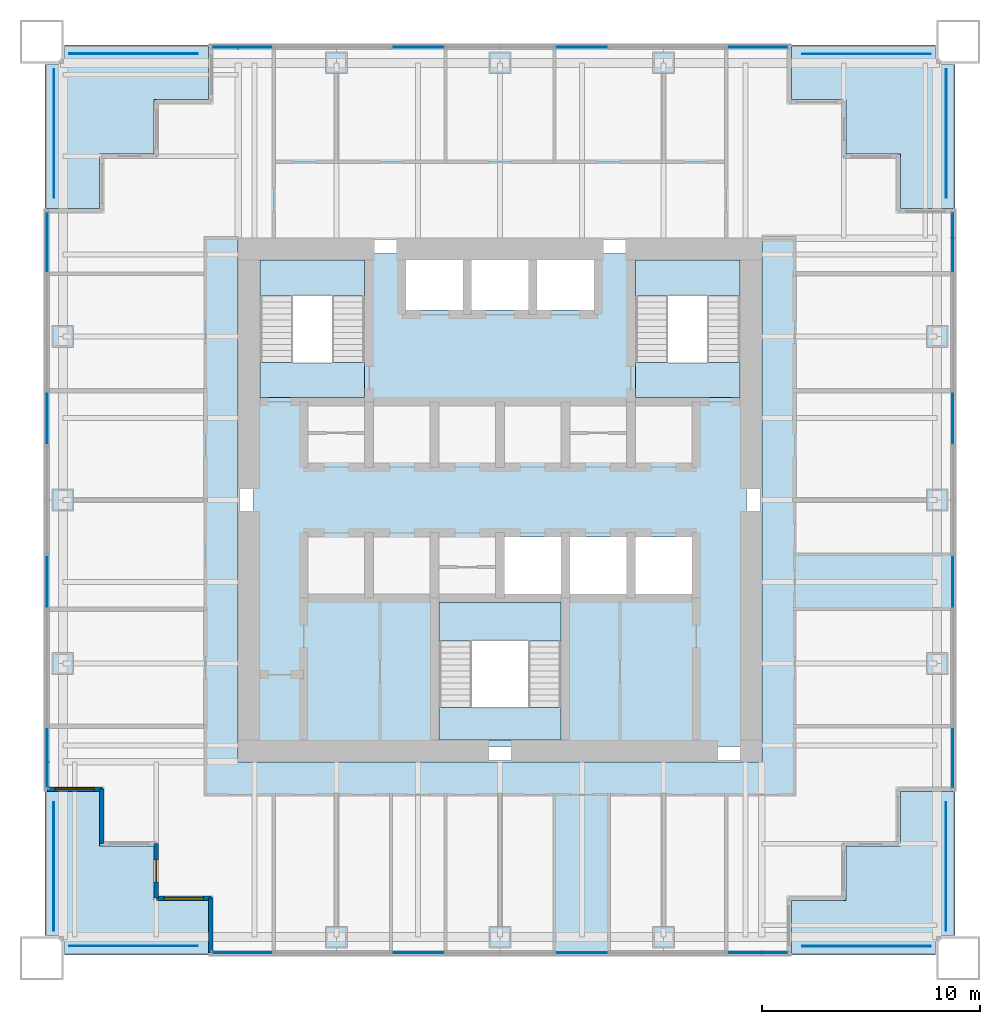
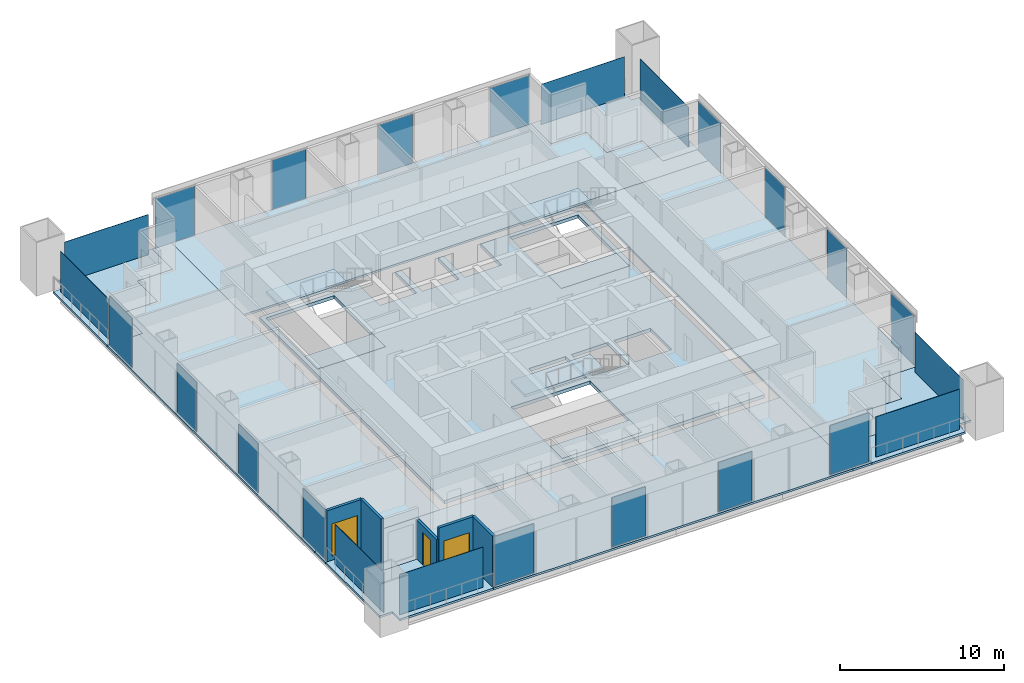
# One storey, part 8 of 15: 24 plates, 15 slabs, 5 walls, 2 windows, 1 door, 3 openings, 19 elements without a shape of their own.
"""IFC4 building model written with IfcOpenShell, lengths in metres."""

from ifc_helpers import new_model, si_unit, direction, frame, frame_2d, origin, origin_2d, place, context, subcontext, project, spatial, polyline, rectangle, outline, extrude, material, layer, layer_set, type_object, element, fill, aggregate, save


model = new_model("IFC4")

# Units and contexts
model_context = context("Model", 3, precision=1e-05, world=origin(), true_north=direction((0.0, 1.0)))
body_context = subcontext(model_context, "Body", "Model", "MODEL_VIEW")
ifc_project = project(units=[si_unit("LENGTHUNIT", "METRE"), si_unit("AREAUNIT", "SQUARE_METRE"), si_unit("VOLUMEUNIT", "CUBIC_METRE"), si_unit("PLANEANGLEUNIT", "RADIAN"), si_unit("MASSUNIT", "GRAM", prefix="KILO")], contexts=[model_context])

# Site, building, storey
site_placement = place(None, origin())
site = spatial("IfcSite", under=ifc_project, at=site_placement, CompositionType="ELEMENT")
building_placement = place(site_placement, origin())
building = spatial("IfcBuilding", under=site, at=building_placement, Name="Tarangal Relay Tower", CompositionType="ELEMENT")
storey_placement = place(building_placement, frame((0.0, 0.0, 331.89990234375)))
storey = spatial("IfcBuildingStorey", under=building, at=storey_placement, Name="L74", CompositionType="ELEMENT", Elevation=331.89990234375)

# Slabs
ifc_material_1 = material(Name="Concrete fc' 35 MPa", Category="concrete")
ifc_layer_1 = layer(ifc_material_1, 0.25)
ifc_layer_set_1 = layer_set([ifc_layer_1], Name="Core floor slab 250")
slab_type_1 = type_object("IfcSlabType", Name="Core floor slab 250", PredefinedType="FLOOR", material=ifc_layer_set_1)
slab_1_placement = place(storey_placement, frame((0.0, 0.0, -0.25)))
element("IfcSlab", 1, at=slab_1_placement, inside=storey, type_object=slab_type_1, Name="Core floor slab L74", PredefinedType="FLOOR", context=body_context, shape_type="SweptSolid", body=[
    extrude(outline(polyline([(11.300048828125, 11.300048828125), (11.300048828125, -11.300048828125), (-11.300048828125, -11.300048828125), (-11.300048828125, 11.300048828125), (-4.300048828125, 11.300048828125), (-4.300048828125, 8.699951171875), (-1.699951171875, 8.699951171875), (-1.699951171875, 11.300048828125), (-1.300048828125, 11.300048828125), (-1.300048828125, 8.699951171875), (1.300048828125, 8.699951171875), (1.300048828125, 11.300048828125), (1.699951171875, 11.300048828125), (1.699951171875, 8.699951171875), (4.300048828125, 8.699951171875), (4.300048828125, 11.300048828125), (11.300048828125, 11.300048828125)]), holes=[polyline([(2.800048828125, -4.699951171875), (-2.800048828125, -4.699951171875), (-2.800048828125, -11.0), (2.800048828125, -11.0), (2.800048828125, -4.699951171875)]), polyline([(2.800048828125, -1.699951171875), (0.199951171875, -1.699951171875), (0.199951171875, -4.300048828125), (2.800048828125, -4.300048828125), (2.800048828125, -1.699951171875)]), polyline([(5.800048828125, -1.699951171875), (3.199951171875, -1.699951171875), (3.199951171875, -4.300048828125), (5.800048828125, -4.300048828125), (5.800048828125, -1.699951171875)]), polyline([(8.800048828125, -1.699951171875), (6.199951171875, -1.699951171875), (6.199951171875, -4.300048828125), (8.800048828125, -4.300048828125), (8.800048828125, -1.699951171875)]), polyline([(-6.199951171875, 11.0), (-11.0, 11.0), (-11.0, 4.699951171875), (-6.199951171875, 4.699951171875), (-6.199951171875, 11.0)]), polyline([(11.0, 11.0), (6.199951171875, 11.0), (6.199951171875, 4.699951171875), (11.0, 4.699951171875), (11.0, 11.0)])]), origin(), (0.0, 0.0, 1.0), 0.25),
])
ifc_layer_2 = layer(ifc_material_1, 0.14990234375)
ifc_layer_set_2 = layer_set([ifc_layer_2], Name="Floor slab 150")
slab_type_2 = type_object("IfcSlabType", Name="Floor slab 150", PredefinedType="FLOOR", material=ifc_layer_set_2)
slab_2_placement = place(storey_placement, frame((0.0, 0.0, -0.14990234375)))
element("IfcSlab", 2, at=slab_2_placement, inside=storey, type_object=slab_type_2, Name="Floor slab FS3 L74 north bay", PredefinedType="FLOOR", context=body_context, shape_type="SweptSolid", body=[
    extrude(outline(polyline([(13.35009765625, 20.85009765625), (13.35009765625, 18.35009765625), (15.85009765625, 18.35009765625), (15.85009765625, 15.85009765625), (18.35009765625, 15.85009765625), (18.35009765625, 13.35009765625), (20.85009765625, 13.35009765625), (20.85009765625, 12.0), (-12.0, 12.0), (-12.0, 20.85009765625), (13.35009765625, 20.85009765625)])), origin(), (0.0, 0.0, 1.0), 0.14990234375),
])
slab_3_placement = place(storey_placement, frame((0.0, 0.0, -0.14990234375)))
element("IfcSlab", 3, at=slab_3_placement, inside=storey, type_object=slab_type_2, Name="Floor slab FS3 L74 east bay", PredefinedType="FLOOR", context=body_context, shape_type="SweptSolid", body=[
    extrude(outline(polyline([(20.85009765625, -13.35009765625), (18.35009765625, -13.35009765625), (18.35009765625, -15.85009765625), (15.85009765625, -15.85009765625), (15.85009765625, -18.35009765625), (13.35009765625, -18.35009765625), (13.35009765625, -20.85009765625), (12.0, -20.85009765625), (12.0, 12.0), (20.85009765625, 12.0), (20.85009765625, -13.35009765625)])), origin(), (0.0, 0.0, 1.0), 0.14990234375),
])
slab_4_placement = place(storey_placement, frame((0.0, 0.0, -0.14990234375)))
element("IfcSlab", 4, at=slab_4_placement, inside=storey, type_object=slab_type_2, Name="Floor slab FS3 L74 south bay", PredefinedType="FLOOR", context=body_context, shape_type="SweptSolid", body=[
    extrude(outline(polyline([(-13.35009765625, -20.85009765625), (-13.35009765625, -18.35009765625), (-15.85009765625, -18.35009765625), (-15.85009765625, -15.85009765625), (-18.35009765625, -15.85009765625), (-18.35009765625, -13.35009765625), (-20.85009765625, -13.35009765625), (-20.85009765625, -12.0), (12.0, -12.0), (12.0, -20.85009765625), (-13.35009765625, -20.85009765625)])), origin(), (0.0, 0.0, 1.0), 0.14990234375),
])
slab_5_placement = place(storey_placement, frame((0.0, 0.0, -0.14990234375)))
element("IfcSlab", 5, at=slab_5_placement, inside=storey, type_object=slab_type_2, Name="Floor slab FS3 L74 west bay", PredefinedType="FLOOR", context=body_context, shape_type="SweptSolid", body=[
    extrude(outline(polyline([(-12.0, 20.85009765625), (-12.0, -12.0), (-20.85009765625, -12.0), (-20.85009765625, 13.35009765625), (-18.35009765625, 13.35009765625), (-18.35009765625, 15.85009765625), (-15.85009765625, 15.85009765625), (-15.85009765625, 18.35009765625), (-13.35009765625, 18.35009765625), (-13.35009765625, 20.85009765625), (-12.0, 20.85009765625)])), origin(), (0.0, 0.0, 1.0), 0.14990234375),
])

# Curtain wall, plate
ifc_material_2 = material(Name="Unitised curtain wall, dark glass and black aluminium", Category="aluminium")
curtain_wall_type = type_object("IfcCurtainWallType", Name="Curtain wall CW-B", PredefinedType="USERDEFINED", material=ifc_material_2)
curtain_wall_1_placement = place(storey_placement, origin())
curtain_wall_1 = element("IfcCurtainWall", 6, at=curtain_wall_1_placement, inside=storey, type_object=curtain_wall_type, Name="Curtain wall CW-B N facade L74", ObjectType="UNITISED CURTAIN WALL", PredefinedType="USERDEFINED")
ifc_material_3 = material(Name="Dark tinted insulated glass unit", Category="glass")
ifc_layer_3 = layer(ifc_material_3, 0.030029296875)
ifc_layer_set_3 = layer_set([ifc_layer_3], Name="Glazed panel CW-B 30")
plate_type_1 = type_object("IfcPlateType", Name="Glazed panel CW-B 30", PredefinedType="CURTAIN_PANEL", material=ifc_layer_set_3)
plate_1_placement = place(storey_placement, frame((-11.8125, 20.75, 0.06005859375), z_axis=(0.0, 0.0, 1.0), x_axis=(1.0, 0.0, 0.0)))
plate_1 = element("IfcPlate", 7, at=plate_1_placement, type_object=plate_type_1, Name="CW-B panel 1.1", PredefinedType="CURTAIN_PANEL", context=body_context, shape_type="SweptSolid", body=[
    extrude(rectangle(XDim=2.7548828125, YDim=0.030029296875, at=origin_2d()), origin(), (0.0, 0.0, 1.0), 3.679931640625),
])
aggregate(curtain_wall_1, [plate_1])

curtain_wall_2_placement = place(storey_placement, origin())
curtain_wall_2 = element("IfcCurtainWall", 8, at=curtain_wall_2_placement, inside=storey, type_object=curtain_wall_type, Name="Curtain wall CW-B N facade L74", ObjectType="UNITISED CURTAIN WALL", PredefinedType="USERDEFINED")
plate_2_placement = place(storey_placement, frame((-3.75, 20.75, 0.06005859375), z_axis=(0.0, 0.0, 1.0), x_axis=(1.0, 0.0, 0.0)))
plate_2 = element("IfcPlate", 9, at=plate_2_placement, type_object=plate_type_1, Name="CW-B panel 1.1", PredefinedType="CURTAIN_PANEL", context=body_context, shape_type="SweptSolid", body=[
    extrude(rectangle(XDim=2.3798828125, YDim=0.030029296875, at=origin_2d()), origin(), (0.0, 0.0, 1.0), 3.679931640625),
])
aggregate(curtain_wall_2, [plate_2])

curtain_wall_3_placement = place(storey_placement, origin())
curtain_wall_3 = element("IfcCurtainWall", 10, at=curtain_wall_3_placement, inside=storey, type_object=curtain_wall_type, Name="Curtain wall CW-B N facade L74", ObjectType="UNITISED CURTAIN WALL", PredefinedType="USERDEFINED")
plate_3_placement = place(storey_placement, frame((3.75, 20.75, 0.06005859375), z_axis=(0.0, 0.0, 1.0), x_axis=(1.0, 0.0, 0.0)))
plate_3 = element("IfcPlate", 11, at=plate_3_placement, type_object=plate_type_1, Name="CW-B panel 1.1", PredefinedType="CURTAIN_PANEL", context=body_context, shape_type="SweptSolid", body=[
    extrude(rectangle(XDim=2.3798828125, YDim=0.030029296875, at=origin_2d()), origin(), (0.0, 0.0, 1.0), 3.679931640625),
])
aggregate(curtain_wall_3, [plate_3])

curtain_wall_4_placement = place(storey_placement, origin())
curtain_wall_4 = element("IfcCurtainWall", 12, at=curtain_wall_4_placement, inside=storey, type_object=curtain_wall_type, Name="Curtain wall CW-B N facade L74", ObjectType="UNITISED CURTAIN WALL", PredefinedType="USERDEFINED")
plate_4_placement = place(storey_placement, frame((11.8125, 20.75, 0.06005859375), z_axis=(0.0, 0.0, 1.0), x_axis=(1.0, 0.0, 0.0)))
plate_4 = element("IfcPlate", 13, at=plate_4_placement, type_object=plate_type_1, Name="CW-B panel 1.1", PredefinedType="CURTAIN_PANEL", context=body_context, shape_type="SweptSolid", body=[
    extrude(rectangle(XDim=2.7548828125, YDim=0.030029296875, at=origin_2d()), origin(), (0.0, 0.0, 1.0), 3.679931640625),
])
aggregate(curtain_wall_4, [plate_4])

curtain_wall_5_placement = place(storey_placement, origin())
curtain_wall_5 = element("IfcCurtainWall", 14, at=curtain_wall_5_placement, inside=storey, type_object=curtain_wall_type, Name="Curtain wall CW-B E facade L74", ObjectType="UNITISED CURTAIN WALL", PredefinedType="USERDEFINED")
plate_5_placement = place(storey_placement, frame((20.75, 11.8125, 0.06005859375), z_axis=(0.0, 0.0, 1.0), x_axis=(0.0, -1.0, 0.0)))
plate_5 = element("IfcPlate", 15, at=plate_5_placement, type_object=plate_type_1, Name="CW-B panel 1.1", PredefinedType="CURTAIN_PANEL", context=body_context, shape_type="SweptSolid", body=[
    extrude(rectangle(XDim=2.7548828125, YDim=0.030029296875, at=origin_2d()), origin(), (0.0, 0.0, 1.0), 3.679931640625),
])
aggregate(curtain_wall_5, [plate_5])

curtain_wall_6_placement = place(storey_placement, origin())
curtain_wall_6 = element("IfcCurtainWall", 16, at=curtain_wall_6_placement, inside=storey, type_object=curtain_wall_type, Name="Curtain wall CW-B E facade L74", ObjectType="UNITISED CURTAIN WALL", PredefinedType="USERDEFINED")
plate_6_placement = place(storey_placement, frame((20.75, 3.75, 0.06005859375), z_axis=(0.0, 0.0, 1.0), x_axis=(0.0, -1.0, 0.0)))
plate_6 = element("IfcPlate", 17, at=plate_6_placement, type_object=plate_type_1, Name="CW-B panel 1.1", PredefinedType="CURTAIN_PANEL", context=body_context, shape_type="SweptSolid", body=[
    extrude(rectangle(XDim=2.3798828125, YDim=0.030029296875, at=origin_2d()), origin(), (0.0, 0.0, 1.0), 3.679931640625),
])
aggregate(curtain_wall_6, [plate_6])

curtain_wall_7_placement = place(storey_placement, origin())
curtain_wall_7 = element("IfcCurtainWall", 18, at=curtain_wall_7_placement, inside=storey, type_object=curtain_wall_type, Name="Curtain wall CW-B E facade L74", ObjectType="UNITISED CURTAIN WALL", PredefinedType="USERDEFINED")
plate_7_placement = place(storey_placement, frame((20.75, -3.75, 0.06005859375), z_axis=(0.0, 0.0, 1.0), x_axis=(0.0, -1.0, 0.0)))
plate_7 = element("IfcPlate", 19, at=plate_7_placement, type_object=plate_type_1, Name="CW-B panel 1.1", PredefinedType="CURTAIN_PANEL", context=body_context, shape_type="SweptSolid", body=[
    extrude(rectangle(XDim=2.3798828125, YDim=0.030029296875, at=origin_2d()), origin(), (0.0, 0.0, 1.0), 3.679931640625),
])
aggregate(curtain_wall_7, [plate_7])

curtain_wall_8_placement = place(storey_placement, origin())
curtain_wall_8 = element("IfcCurtainWall", 20, at=curtain_wall_8_placement, inside=storey, type_object=curtain_wall_type, Name="Curtain wall CW-B E facade L74", ObjectType="UNITISED CURTAIN WALL", PredefinedType="USERDEFINED")
plate_8_placement = place(storey_placement, frame((20.75, -11.8125, 0.06005859375), z_axis=(0.0, 0.0, 1.0), x_axis=(0.0, -1.0, 0.0)))
plate_8 = element("IfcPlate", 21, at=plate_8_placement, type_object=plate_type_1, Name="CW-B panel 1.1", PredefinedType="CURTAIN_PANEL", context=body_context, shape_type="SweptSolid", body=[
    extrude(rectangle(XDim=2.7548828125, YDim=0.030029296875, at=origin_2d()), origin(), (0.0, 0.0, 1.0), 3.679931640625),
])
aggregate(curtain_wall_8, [plate_8])

curtain_wall_9_placement = place(storey_placement, origin())
curtain_wall_9 = element("IfcCurtainWall", 22, at=curtain_wall_9_placement, inside=storey, type_object=curtain_wall_type, Name="Curtain wall CW-B S facade L74", ObjectType="UNITISED CURTAIN WALL", PredefinedType="USERDEFINED")
plate_9_placement = place(storey_placement, frame((11.8125, -20.75, 0.06005859375), z_axis=(0.0, 0.0, 1.0), x_axis=(-1.0, 0.0, 0.0)))
plate_9 = element("IfcPlate", 23, at=plate_9_placement, type_object=plate_type_1, Name="CW-B panel 1.1", PredefinedType="CURTAIN_PANEL", context=body_context, shape_type="SweptSolid", body=[
    extrude(rectangle(XDim=2.7548828125, YDim=0.030029296875, at=origin_2d()), origin(), (0.0, 0.0, 1.0), 3.679931640625),
])
aggregate(curtain_wall_9, [plate_9])

curtain_wall_10_placement = place(storey_placement, origin())
curtain_wall_10 = element("IfcCurtainWall", 24, at=curtain_wall_10_placement, inside=storey, type_object=curtain_wall_type, Name="Curtain wall CW-B S facade L74", ObjectType="UNITISED CURTAIN WALL", PredefinedType="USERDEFINED")
plate_10_placement = place(storey_placement, frame((3.75, -20.75, 0.06005859375), z_axis=(0.0, 0.0, 1.0), x_axis=(-1.0, 0.0, 0.0)))
plate_10 = element("IfcPlate", 25, at=plate_10_placement, type_object=plate_type_1, Name="CW-B panel 1.1", PredefinedType="CURTAIN_PANEL", context=body_context, shape_type="SweptSolid", body=[
    extrude(rectangle(XDim=2.3798828125, YDim=0.030029296875, at=origin_2d()), origin(), (0.0, 0.0, 1.0), 3.679931640625),
])
aggregate(curtain_wall_10, [plate_10])

curtain_wall_11_placement = place(storey_placement, origin())
curtain_wall_11 = element("IfcCurtainWall", 26, at=curtain_wall_11_placement, inside=storey, type_object=curtain_wall_type, Name="Curtain wall CW-B S facade L74", ObjectType="UNITISED CURTAIN WALL", PredefinedType="USERDEFINED")
plate_11_placement = place(storey_placement, frame((-3.75, -20.75, 0.06005859375), z_axis=(0.0, 0.0, 1.0), x_axis=(-1.0, 0.0, 0.0)))
plate_11 = element("IfcPlate", 27, at=plate_11_placement, type_object=plate_type_1, Name="CW-B panel 1.1", PredefinedType="CURTAIN_PANEL", context=body_context, shape_type="SweptSolid", body=[
    extrude(rectangle(XDim=2.3798828125, YDim=0.030029296875, at=origin_2d()), origin(), (0.0, 0.0, 1.0), 3.679931640625),
])
aggregate(curtain_wall_11, [plate_11])

curtain_wall_12_placement = place(storey_placement, origin())
curtain_wall_12 = element("IfcCurtainWall", 28, at=curtain_wall_12_placement, inside=storey, type_object=curtain_wall_type, Name="Curtain wall CW-B S facade L74", ObjectType="UNITISED CURTAIN WALL", PredefinedType="USERDEFINED")
plate_12_placement = place(storey_placement, frame((-11.8125, -20.75, 0.06005859375), z_axis=(0.0, 0.0, 1.0), x_axis=(-1.0, 0.0, 0.0)))
plate_12 = element("IfcPlate", 29, at=plate_12_placement, type_object=plate_type_1, Name="CW-B panel 1.1", PredefinedType="CURTAIN_PANEL", context=body_context, shape_type="SweptSolid", body=[
    extrude(rectangle(XDim=2.7548828125, YDim=0.030029296875, at=origin_2d()), origin(), (0.0, 0.0, 1.0), 3.679931640625),
])
aggregate(curtain_wall_12, [plate_12])

curtain_wall_13_placement = place(storey_placement, origin())
curtain_wall_13 = element("IfcCurtainWall", 30, at=curtain_wall_13_placement, inside=storey, type_object=curtain_wall_type, Name="Curtain wall CW-B W facade L74", ObjectType="UNITISED CURTAIN WALL", PredefinedType="USERDEFINED")
plate_13_placement = place(storey_placement, frame((-20.75, -11.8125, 0.06005859375), z_axis=(0.0, 0.0, 1.0), x_axis=(0.0, 1.0, 0.0)))
plate_13 = element("IfcPlate", 31, at=plate_13_placement, type_object=plate_type_1, Name="CW-B panel 1.1", PredefinedType="CURTAIN_PANEL", context=body_context, shape_type="SweptSolid", body=[
    extrude(rectangle(XDim=2.7548828125, YDim=0.030029296875, at=origin_2d()), origin(), (0.0, 0.0, 1.0), 3.679931640625),
])
aggregate(curtain_wall_13, [plate_13])

curtain_wall_14_placement = place(storey_placement, origin())
curtain_wall_14 = element("IfcCurtainWall", 32, at=curtain_wall_14_placement, inside=storey, type_object=curtain_wall_type, Name="Curtain wall CW-B W facade L74", ObjectType="UNITISED CURTAIN WALL", PredefinedType="USERDEFINED")
plate_14_placement = place(storey_placement, frame((-20.75, -3.75, 0.06005859375), z_axis=(0.0, 0.0, 1.0), x_axis=(0.0, 1.0, 0.0)))
plate_14 = element("IfcPlate", 33, at=plate_14_placement, type_object=plate_type_1, Name="CW-B panel 1.1", PredefinedType="CURTAIN_PANEL", context=body_context, shape_type="SweptSolid", body=[
    extrude(rectangle(XDim=2.3798828125, YDim=0.030029296875, at=origin_2d()), origin(), (0.0, 0.0, 1.0), 3.679931640625),
])
aggregate(curtain_wall_14, [plate_14])

curtain_wall_15_placement = place(storey_placement, origin())
curtain_wall_15 = element("IfcCurtainWall", 34, at=curtain_wall_15_placement, inside=storey, type_object=curtain_wall_type, Name="Curtain wall CW-B W facade L74", ObjectType="UNITISED CURTAIN WALL", PredefinedType="USERDEFINED")
plate_15_placement = place(storey_placement, frame((-20.75, 3.75, 0.06005859375), z_axis=(0.0, 0.0, 1.0), x_axis=(0.0, 1.0, 0.0)))
plate_15 = element("IfcPlate", 35, at=plate_15_placement, type_object=plate_type_1, Name="CW-B panel 1.1", PredefinedType="CURTAIN_PANEL", context=body_context, shape_type="SweptSolid", body=[
    extrude(rectangle(XDim=2.3798828125, YDim=0.030029296875, at=origin_2d()), origin(), (0.0, 0.0, 1.0), 3.679931640625),
])
aggregate(curtain_wall_15, [plate_15])

curtain_wall_16_placement = place(storey_placement, origin())
curtain_wall_16 = element("IfcCurtainWall", 36, at=curtain_wall_16_placement, inside=storey, type_object=curtain_wall_type, Name="Curtain wall CW-B W facade L74", ObjectType="UNITISED CURTAIN WALL", PredefinedType="USERDEFINED")
plate_16_placement = place(storey_placement, frame((-20.75, 11.8125, 0.06005859375), z_axis=(0.0, 0.0, 1.0), x_axis=(0.0, 1.0, 0.0)))
plate_16 = element("IfcPlate", 37, at=plate_16_placement, type_object=plate_type_1, Name="CW-B panel 1.1", PredefinedType="CURTAIN_PANEL", context=body_context, shape_type="SweptSolid", body=[
    extrude(rectangle(XDim=2.7548828125, YDim=0.030029296875, at=origin_2d()), origin(), (0.0, 0.0, 1.0), 3.679931640625),
])
aggregate(curtain_wall_16, [plate_16])

# Plates
ifc_material_4 = material(Name="Black stainless steel cable trellis with climbing planting", Category="steel")
ifc_layer_4 = layer(ifc_material_4, 0.030029296875)
ifc_layer_set_4 = layer_set([ifc_layer_4], Name="Planted trellis screen")
plate_type_2 = type_object("IfcPlateType", Name="Planted trellis screen", PredefinedType="SHEET", material=ifc_layer_set_4)
for number, where, z_axis, x_axis, name in (
    (38, (20.449951171875, 16.800048828125, 0.0), (0.0, 0.0, 1.0), (0.0, -1.0, 0.0), "Planted trellis SC2 NE L74"),
    (39, (16.800048828125, -20.449951171875, 0.0), (0.0, 0.0, 1.0), (-1.0, 0.0, 0.0), "Planted trellis SC2 SE L74"),
    (40, (-20.449951171875, -16.800048828125, 0.0), (0.0, 0.0, 1.0), (0.0, 1.0, 0.0), "Planted trellis SC2 SW L74"),
    (41, (-16.800048828125, 20.449951171875, 0.0), (0.0, 0.0, 1.0), (1.0, 0.0, 0.0), "Planted trellis SC2 NW L74"),
):
    element("IfcPlate", number, at=place(storey_placement, frame(where, z_axis=z_axis, x_axis=x_axis)), inside=storey, type_object=plate_type_2, Name=name, PredefinedType="SHEET", context=body_context, shape_type="SweptSolid", body=[
        extrude(rectangle(XDim=5.89990234375, YDim=0.030029296875, at=origin_2d()), origin(), (0.0, 0.0, 1.0), 3.0),
    ])

# Stair, slabs
ifc_material_5 = material(Name="Steel ASTM A992 stair flight", Category="steel")
stair_type = type_object("IfcStairType", Name="Core stair 1500", PredefinedType="HALF_TURN_STAIR", material=ifc_material_5)
stair_1_placement = place(storey_placement, origin())
stair_1 = element("IfcStair", 42, at=stair_1_placement, inside=storey, type_object=stair_type, Name="Stair ST-A L74", PredefinedType="HALF_TURN_STAIR")
ifc_layer_5 = layer(ifc_material_1, 0.199951171875)
ifc_layer_set_5 = layer_set([ifc_layer_5], Name="Stair landing 200")
slab_type_3 = type_object("IfcSlabType", Name="Stair landing 200", PredefinedType="LANDING", material=ifc_layer_set_5)
slab_6_placement = place(storey_placement, frame((0.0, 0.0, -0.199951171875)))
slab_6 = element("IfcSlab", 43, at=slab_6_placement, type_object=slab_type_3, Name="ST-A landing 1", PredefinedType="LANDING", context=body_context, shape_type="SweptSolid", body=[
    extrude(outline(polyline([(-11.0, 4.699951171875), (-6.199951171875, 4.699951171875), (-6.199951171875, 6.300048828125), (-11.0, 6.300048828125), (-11.0, 4.699951171875)])), origin(), (0.0, 0.0, 1.0), 0.199951171875),
])
slab_7_placement = place(storey_placement, frame((0.0, 0.0, 1.800048828125)))
slab_7 = element("IfcSlab", 44, at=slab_7_placement, type_object=slab_type_3, Name="ST-A landing 2", PredefinedType="LANDING", context=body_context, shape_type="SweptSolid", body=[
    extrude(outline(polyline([(-11.0, 9.346923828125), (-6.199951171875, 9.346923828125), (-6.199951171875, 11.0), (-11.0, 11.0), (-11.0, 9.346923828125)])), origin(), (0.0, 0.0, 1.0), 0.199951171875),
])
aggregate(stair_1, [slab_6, slab_7])

stair_2_placement = place(storey_placement, origin())
stair_2 = element("IfcStair", 45, at=stair_2_placement, inside=storey, type_object=stair_type, Name="Stair ST-B L74", PredefinedType="HALF_TURN_STAIR")
slab_8_placement = place(storey_placement, frame((0.0, 0.0, -0.199951171875)))
slab_8 = element("IfcSlab", 46, at=slab_8_placement, type_object=slab_type_3, Name="ST-B landing 1", PredefinedType="LANDING", context=body_context, shape_type="SweptSolid", body=[
    extrude(outline(polyline([(6.199951171875, 4.699951171875), (11.0, 4.699951171875), (11.0, 6.300048828125), (6.199951171875, 6.300048828125), (6.199951171875, 4.699951171875)])), origin(), (0.0, 0.0, 1.0), 0.199951171875),
])
slab_9_placement = place(storey_placement, frame((0.0, 0.0, 1.800048828125)))
slab_9 = element("IfcSlab", 47, at=slab_9_placement, type_object=slab_type_3, Name="ST-B landing 2", PredefinedType="LANDING", context=body_context, shape_type="SweptSolid", body=[
    extrude(outline(polyline([(6.199951171875, 9.346923828125), (11.0, 9.346923828125), (11.0, 11.0), (6.199951171875, 11.0), (6.199951171875, 9.346923828125)])), origin(), (0.0, 0.0, 1.0), 0.199951171875),
])
aggregate(stair_2, [slab_8, slab_9])

stair_3_placement = place(storey_placement, origin())
stair_3 = element("IfcStair", 48, at=stair_3_placement, inside=storey, type_object=stair_type, Name="Stair ST-C L74", PredefinedType="HALF_TURN_STAIR")
slab_10_placement = place(storey_placement, frame((0.0, 0.0, -0.199951171875)))
slab_10 = element("IfcSlab", 49, at=slab_10_placement, type_object=slab_type_3, Name="ST-C landing 1", PredefinedType="LANDING", context=body_context, shape_type="SweptSolid", body=[
    extrude(outline(polyline([(-2.800048828125, -11.0), (2.800048828125, -11.0), (2.800048828125, -9.5), (-2.800048828125, -9.5), (-2.800048828125, -11.0)])), origin(), (0.0, 0.0, 1.0), 0.199951171875),
])
slab_11_placement = place(storey_placement, frame((0.0, 0.0, 1.800048828125)))
slab_11 = element("IfcSlab", 50, at=slab_11_placement, type_object=slab_type_3, Name="ST-C landing 2", PredefinedType="LANDING", context=body_context, shape_type="SweptSolid", body=[
    extrude(outline(polyline([(-2.800048828125, -6.452880859375), (2.800048828125, -6.452880859375), (2.800048828125, -4.699951171875), (-2.800048828125, -4.699951171875), (-2.800048828125, -6.452880859375)])), origin(), (0.0, 0.0, 1.0), 0.199951171875),
])
aggregate(stair_3, [slab_10, slab_11])

# Plates
ifc_material_6 = material(Name="Perforated black aluminium screen", Category="aluminium")
ifc_layer_6 = layer(ifc_material_6, 0.02001953125)
ifc_layer_set_6 = layer_set([ifc_layer_6], Name="Terrace screen panel")
plate_type_3 = type_object("IfcPlateType", Name="Terrace screen panel", PredefinedType="SHEET", material=ifc_layer_set_6)
for number, where, z_axis, x_axis, name in (
    (51, (16.800048828125, 20.449951171875, 0.0), (0.0, 0.0, 1.0), (1.0, 0.0, 0.0), "Terrace screen SC1 NE L74"),
    (52, (20.449951171875, -16.800048828125, 0.0), (0.0, 0.0, 1.0), (0.0, -1.0, 0.0), "Terrace screen SC1 SE L74"),
    (53, (-16.800048828125, -20.449951171875, 0.0), (0.0, 0.0, 1.0), (-1.0, 0.0, 0.0), "Terrace screen SC1 SW L74"),
    (54, (-20.449951171875, 16.800048828125, 0.0), (0.0, 0.0, 1.0), (0.0, 1.0, 0.0), "Terrace screen SC1 NW L74"),
):
    element("IfcPlate", number, at=place(storey_placement, frame(where, z_axis=z_axis, x_axis=x_axis)), inside=storey, type_object=plate_type_3, Name=name, PredefinedType="SHEET", context=body_context, shape_type="SweptSolid", body=[
        extrude(rectangle(XDim=5.89990234375, YDim=0.02001953125, at=origin_2d()), origin(), (0.0, 0.0, 1.0), 3.0),
    ])

# Slabs
ifc_layer_7 = layer(ifc_material_1, 0.14990234375)
ifc_layer_set_7 = layer_set([ifc_layer_7], Name="Terrace slab 150")
slab_type_4 = type_object("IfcSlabType", Name="Terrace slab 150", PredefinedType="FLOOR", material=ifc_layer_set_7)
slab_12_placement = place(storey_placement, frame((0.0, 0.0, -0.14990234375)))
element("IfcSlab", 55, at=slab_12_placement, inside=storey, type_object=slab_type_4, Name="Corner terrace NE L74", PredefinedType="FLOOR", context=body_context, shape_type="SweptSolid", body=[
    extrude(outline(polyline([(13.35009765625, 20.85009765625), (13.35009765625, 18.35009765625), (15.85009765625, 18.35009765625), (15.85009765625, 15.85009765625), (18.35009765625, 15.85009765625), (18.35009765625, 13.35009765625), (20.85009765625, 13.35009765625), (20.85009765625, 19.949951171875), (19.949951171875, 19.949951171875), (19.949951171875, 20.85009765625), (13.35009765625, 20.85009765625)])), origin(), (0.0, 0.0, 1.0), 0.14990234375),
])
slab_13_placement = place(storey_placement, frame((0.0, 0.0, -0.14990234375)))
element("IfcSlab", 56, at=slab_13_placement, inside=storey, type_object=slab_type_4, Name="Corner terrace SE L74", PredefinedType="FLOOR", context=body_context, shape_type="SweptSolid", body=[
    extrude(outline(polyline([(20.85009765625, -13.35009765625), (18.35009765625, -13.35009765625), (18.35009765625, -15.85009765625), (15.85009765625, -15.85009765625), (15.85009765625, -18.35009765625), (13.35009765625, -18.35009765625), (13.35009765625, -20.85009765625), (19.949951171875, -20.85009765625), (19.949951171875, -19.949951171875), (20.85009765625, -19.949951171875), (20.85009765625, -13.35009765625)])), origin(), (0.0, 0.0, 1.0), 0.14990234375),
])
slab_14_placement = place(storey_placement, frame((0.0, 0.0, -0.14990234375)))
element("IfcSlab", 57, at=slab_14_placement, inside=storey, type_object=slab_type_4, Name="Corner terrace SW L74", PredefinedType="FLOOR", context=body_context, shape_type="SweptSolid", body=[
    extrude(outline(polyline([(-13.35009765625, -20.85009765625), (-13.35009765625, -18.35009765625), (-15.85009765625, -18.35009765625), (-15.85009765625, -15.85009765625), (-18.35009765625, -15.85009765625), (-18.35009765625, -13.35009765625), (-20.85009765625, -13.35009765625), (-20.85009765625, -19.949951171875), (-19.949951171875, -19.949951171875), (-19.949951171875, -20.85009765625), (-13.35009765625, -20.85009765625)])), origin(), (0.0, 0.0, 1.0), 0.14990234375),
])
slab_15_placement = place(storey_placement, frame((0.0, 0.0, -0.14990234375)))
element("IfcSlab", 58, at=slab_15_placement, inside=storey, type_object=slab_type_4, Name="Corner terrace NW L74", PredefinedType="FLOOR", context=body_context, shape_type="SweptSolid", body=[
    extrude(outline(polyline([(-20.85009765625, 13.35009765625), (-18.35009765625, 13.35009765625), (-18.35009765625, 15.85009765625), (-15.85009765625, 15.85009765625), (-15.85009765625, 18.35009765625), (-13.35009765625, 18.35009765625), (-13.35009765625, 20.85009765625), (-19.949951171875, 20.85009765625), (-19.949951171875, 19.949951171875), (-20.85009765625, 19.949951171875), (-20.85009765625, 13.35009765625)])), origin(), (0.0, 0.0, 1.0), 0.14990234375),
])

# Wall
ifc_material_7 = material(Name="Black metal clad insulated wall", Category="steel")
ifc_layer_8 = layer(ifc_material_7, 0.199951171875)
ifc_layer_set_8 = layer_set([ifc_layer_8], Name="Corner wall metal clad 200")
wall_type = type_object("IfcWallType", Name="Corner wall metal clad 200", PredefinedType="SOLIDWALL", material=ifc_layer_set_8)
wall_1_placement = place(storey_placement, frame((-13.25, -20.75, 0.0), z_axis=(0.0, 0.0, 1.0), x_axis=(0.0, 1.0, 0.0)))
element("IfcWall", 59, at=wall_1_placement, inside=storey, type_object=wall_type, Name="Facade wall S facade L74", PredefinedType="SOLIDWALL", context=body_context, shape_type="SweptSolid", body=[
    extrude(rectangle(XDim=2.5, YDim=0.199951171875, at=frame_2d((1.25, 0.0))), origin(), (0.0, 0.0, 1.0), 3.800048828125),
])

# Wall, opening, window
wall_2_placement = place(storey_placement, frame((-13.25, -18.25, 0.0), z_axis=(0.0, 0.0, 1.0), x_axis=(-1.0, 0.0, 0.0)))
wall_2 = element("IfcWall", 60, at=wall_2_placement, inside=storey, type_object=wall_type, Name="Facade wall S facade L74", PredefinedType="SOLIDWALL", context=body_context, shape_type="SweptSolid", body=[
    extrude(rectangle(XDim=2.5, YDim=0.199951171875, at=frame_2d((1.25, 0.0))), origin(), (0.0, 0.0, 1.0), 3.800048828125),
])
opening_1_placement = place(wall_2_placement, frame((0.35009765625, 0.0, 0.300048828125)))
opening_1 = element("IfcOpeningElement", 61, at=opening_1_placement, cuts=wall_2, Name="Opening WN2", PredefinedType="OPENING", context=body_context, shape_type="SweptSolid", body=[
    extrude(rectangle(XDim=1.800048828125, YDim=2.39990234375, at=frame_2d((0.89990234375, 1.199951171875))), frame((0.0, 0.10986328125, 0.0), z_axis=(0.0, -1.0, 0.0), x_axis=(1.0, 0.0, 0.0)), (0.0, 0.0, 1.0), 0.219970703125),
])
ifc_material_8 = material(Name="Dark tinted double glazing in black aluminium frame", Category="aluminium")
window_type = type_object("IfcWindowType", Name="Corner window 1800 x 2400", PartitioningType="SINGLE_PANEL", PredefinedType="WINDOW", material=ifc_material_8)
window_1_placement = place(opening_1_placement, origin())
window_1 = element("IfcWindow", 62, at=window_1_placement, inside=storey, type_object=window_type, Name="Corner window WN2 S facade L74", OverallHeight=2.39990234375, OverallWidth=1.800048828125, PartitioningType="SINGLE_PANEL", PredefinedType="WINDOW", context=body_context, shape_type="SweptSolid", body=[
    extrude(rectangle(XDim=1.800048828125, YDim=2.39990234375, at=frame_2d((0.89990234375, 1.199951171875))), frame((0.0, 0.030029296875, 0.0), z_axis=(0.0, -1.0, 0.0), x_axis=(1.0, 0.0, 0.0)), (0.0, 0.0, 1.0), 0.06005859375),
])
fill(opening_1, window_1)

# Wall, opening, door
wall_3_placement = place(storey_placement, frame((-15.75, -18.25, 0.0), z_axis=(0.0, 0.0, 1.0), x_axis=(0.0, 1.0, 0.0)))
wall_3 = element("IfcWall", 63, at=wall_3_placement, inside=storey, type_object=wall_type, Name="Facade wall S facade L74", PredefinedType="SOLIDWALL", context=body_context, shape_type="SweptSolid", body=[
    extrude(rectangle(XDim=2.5, YDim=0.199951171875, at=frame_2d((1.25, 0.0))), origin(), (0.0, 0.0, 1.0), 2.88818359375),
])
opening_2_placement = place(wall_3_placement, frame((0.75, 0.0, 0.0)))
opening_2 = element("IfcOpeningElement", 64, at=opening_2_placement, cuts=wall_3, Name="Opening TD1", PredefinedType="OPENING", context=body_context, shape_type="SweptSolid", body=[
    extrude(rectangle(XDim=1.0, YDim=2.39990234375, at=frame_2d((0.5, 1.199951171875))), frame((0.0, 0.10986328125, 0.0), z_axis=(0.0, -1.0, 0.0), x_axis=(1.0, 0.0, 0.0)), (0.0, 0.0, 1.0), 0.219970703125),
])
ifc_material_9 = material(Name="Aluminium glazed door", Category="aluminium")
door_type = type_object("IfcDoorType", Name="Terrace door 1000 x 2400", OperationType="SINGLE_SWING_RIGHT", PredefinedType="DOOR", material=ifc_material_9)
door_placement = place(opening_2_placement, origin())
door = element("IfcDoor", 65, at=door_placement, inside=storey, type_object=door_type, Name="Terrace door TD1 SW L74", OperationType="SINGLE_SWING_RIGHT", OverallHeight=2.39990234375, OverallWidth=1.0, PredefinedType="DOOR", context=body_context, shape_type="SweptSolid", body=[
    extrude(rectangle(XDim=1.0, YDim=2.39990234375, at=frame_2d((0.5, 1.199951171875))), frame((0.0, 0.02490234375, 0.0), z_axis=(0.0, -1.0, 0.0), x_axis=(1.0, 0.0, 0.0)), (0.0, 0.0, 1.0), 0.050048828125),
])
fill(opening_2, door)

# Wall
wall_4_placement = place(storey_placement, frame((-18.25, -15.75, 0.0), z_axis=(0.0, 0.0, 1.0), x_axis=(0.0, 1.0, 0.0)))
element("IfcWall", 66, at=wall_4_placement, inside=storey, type_object=wall_type, Name="Facade wall S facade L74", PredefinedType="SOLIDWALL", context=body_context, shape_type="SweptSolid", body=[
    extrude(rectangle(XDim=2.5, YDim=0.199951171875, at=frame_2d((1.25, 0.0))), origin(), (0.0, 0.0, 1.0), 3.800048828125),
])

# Wall, opening, window
wall_5_placement = place(storey_placement, frame((-18.25, -13.25, 0.0), z_axis=(0.0, 0.0, 1.0), x_axis=(-1.0, 0.0, 0.0)))
wall_5 = element("IfcWall", 67, at=wall_5_placement, inside=storey, type_object=wall_type, Name="Facade wall S facade L74", PredefinedType="SOLIDWALL", context=body_context, shape_type="SweptSolid", body=[
    extrude(rectangle(XDim=2.5, YDim=0.199951171875, at=frame_2d((1.25, 0.0))), origin(), (0.0, 0.0, 1.0), 3.800048828125),
])
opening_3_placement = place(wall_5_placement, frame((0.35009765625, 0.0, 0.300048828125)))
opening_3 = element("IfcOpeningElement", 68, at=opening_3_placement, cuts=wall_5, Name="Opening WN2", PredefinedType="OPENING", context=body_context, shape_type="SweptSolid", body=[
    extrude(rectangle(XDim=1.800048828125, YDim=2.39990234375, at=frame_2d((0.89990234375, 1.199951171875))), frame((0.0, 0.10986328125, 0.0), z_axis=(0.0, -1.0, 0.0), x_axis=(1.0, 0.0, 0.0)), (0.0, 0.0, 1.0), 0.219970703125),
])
window_2_placement = place(opening_3_placement, origin())
window_2 = element("IfcWindow", 69, at=window_2_placement, inside=storey, type_object=window_type, Name="Corner window WN2 S facade L74", OverallHeight=2.39990234375, OverallWidth=1.800048828125, PartitioningType="SINGLE_PANEL", PredefinedType="WINDOW", context=body_context, shape_type="SweptSolid", body=[
    extrude(rectangle(XDim=1.800048828125, YDim=2.39990234375, at=frame_2d((0.89990234375, 1.199951171875))), frame((0.0, 0.030029296875, 0.0), z_axis=(0.0, -1.0, 0.0), x_axis=(1.0, 0.0, 0.0)), (0.0, 0.0, 1.0), 0.06005859375),
])
fill(opening_3, window_2)

save(model, "model.ifc")
